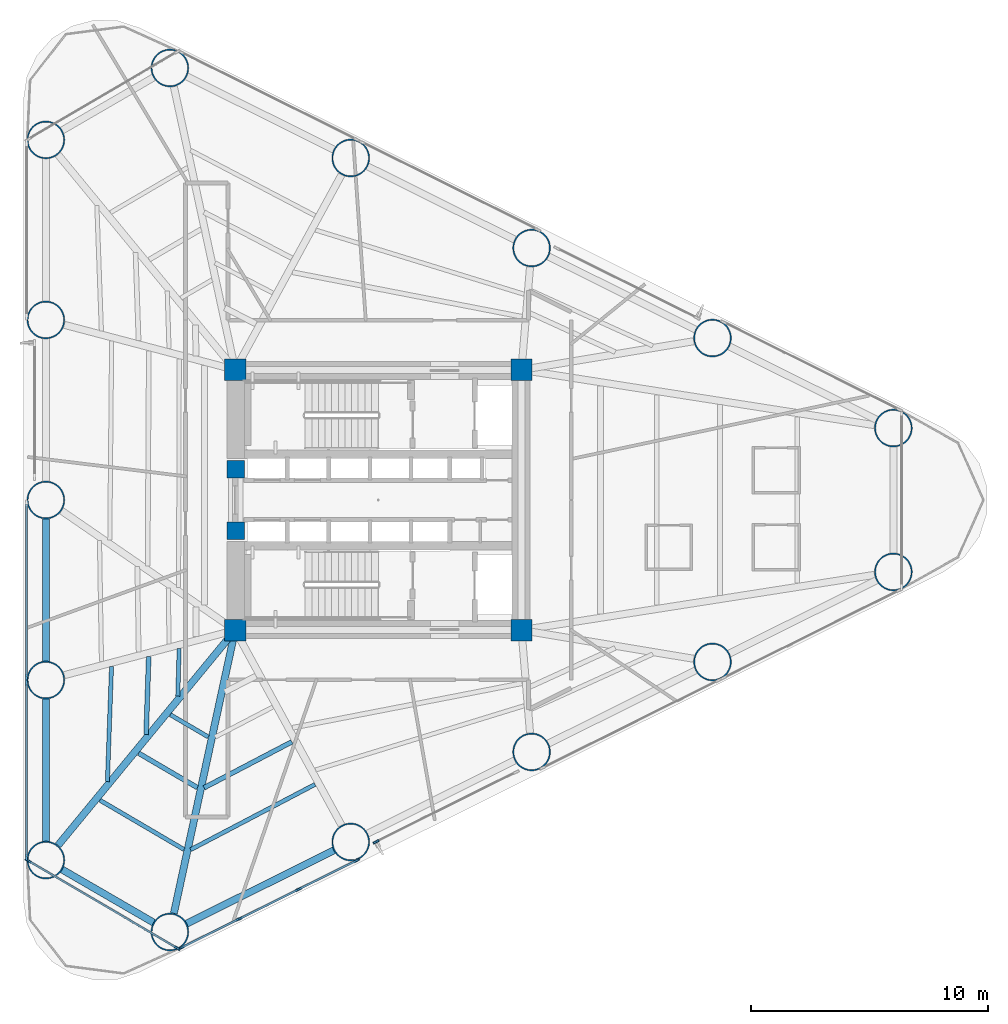
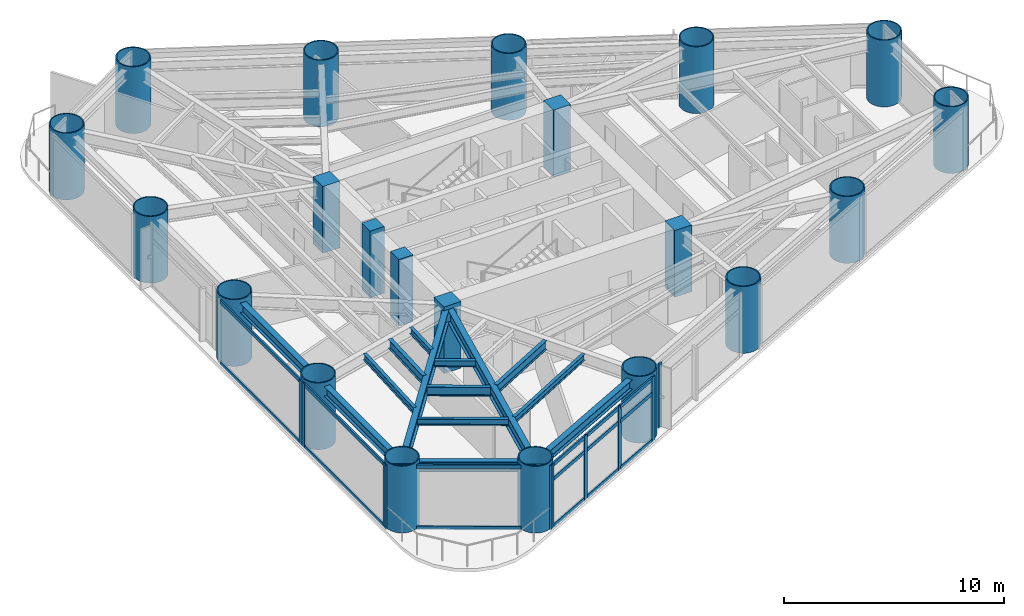
# One storey, part 1 of 10: 25 members, 21 columns, 14 beams, 5 elements without a shape of their own.
"""IFC4 building model written with IfcOpenShell, lengths in metres."""

from ifc_helpers import new_model, si_unit, direction, frame, origin, origin_2d, place, context, subcontext, project, spatial, rectangle, hollow_circle, i_section, extrude, source, transform, mapped, material, layer, layer_set, material_profile, profile_set, type_object, element, aggregate, save


model = new_model("IFC4")

# Units and contexts
model_context = context("Model", 3, precision=1e-05, world=origin(), true_north=direction((0.0, 1.0)))
body_context = subcontext(model_context, "Body", "Model", "MODEL_VIEW")
ifc_project = project(units=[si_unit("LENGTHUNIT", "METRE"), si_unit("AREAUNIT", "SQUARE_METRE"), si_unit("VOLUMEUNIT", "CUBIC_METRE"), si_unit("PLANEANGLEUNIT", "RADIAN"), si_unit("MASSUNIT", "GRAM", prefix="KILO")], contexts=[model_context])

# Site, building, storey
site_placement = place(None, origin())
site = spatial("IfcSite", under=ifc_project, at=site_placement, CompositionType="ELEMENT")
building_placement = place(site_placement, origin())
building = spatial("IfcBuilding", under=site, at=building_placement, Name="Yunling Apex Tower", CompositionType="ELEMENT")
storey_placement = place(building_placement, frame((0.0, 0.0, 46.0)))
storey = spatial("IfcBuildingStorey", under=building, at=storey_placement, Name="L13", CompositionType="ELEMENT", Elevation=46.0)

# Columns
ifc_material_1 = material(Name="Concrete C60", Category="concrete")
ifc_material_profile_1 = material_profile(ifc_material_1, rectangle(XDim=0.89990234375, YDim=0.89990234375, at=origin_2d()))
ifc_profile_set_1 = profile_set([ifc_material_profile_1], Name="Concrete C60")
column_type_1 = type_object("IfcColumnType", Name="PC-SRC-3", PredefinedType="COLUMN", material=ifc_profile_set_1)
shared_shape_1 = source(origin(), body_context, "Body", "SweptSolid", [
    extrude(rectangle(XDim=0.89990234375, YDim=0.89990234375, at=origin_2d()), origin(), (0.0, 0.0, 1.0), 3.699951171875),
])
for number, where, z_axis, x_axis, name in (
    (1, (-6.050048828125, -5.5, 0.0), (0.0, 0.0, 1.0), (1.0, 0.0, 0.0), "L13 Core Spine Column CC-SW"),
    (2, (6.050048828125, -5.5, 0.0), (0.0, 0.0, 1.0), (1.0, 0.0, 0.0), "L13 Core Spine Column CC-SE"),
    (3, (6.050048828125, 5.5, 0.0), (0.0, 0.0, 1.0), (1.0, 0.0, 0.0), "L13 Core Spine Column CC-NE"),
    (4, (-6.050048828125, 5.5, 0.0), (0.0, 0.0, 1.0), (1.0, 0.0, 0.0), "L13 Core Spine Column CC-NW"),
):
    element("IfcColumn", number, at=place(storey_placement, frame(where, z_axis=z_axis, x_axis=x_axis)), inside=storey, type_object=column_type_1, Name=name, PredefinedType="COLUMN", context=body_context, shape_type="MappedRepresentation", body=[
        mapped(shared_shape_1, transform((0.0, 0.0, 0.0), scale=1.0)),
    ])
ifc_material_2 = material(Name="Concrete C50", Category="concrete")
ifc_material_profile_2 = material_profile(ifc_material_2, rectangle(XDim=0.75, YDim=0.75, at=origin_2d()))
ifc_profile_set_2 = profile_set([ifc_material_profile_2], Name="Concrete C50")
column_type_2 = type_object("IfcColumnType", Name="PC-SRC-4", PredefinedType="COLUMN", material=ifc_profile_set_2)
shared_shape_2 = source(origin(), body_context, "Body", "SweptSolid", [
    extrude(rectangle(XDim=0.75, YDim=0.75, at=origin_2d()), origin(), (0.0, 0.0, 1.0), 3.699951171875),
])
for number, where, z_axis, x_axis, name in (
    (5, (-6.02490234375, -1.300048828125, 0.0), (0.0, 0.0, 1.0), (1.0, 0.0, 0.0), "L13 Core West Portal Jamb Column S"),
    (6, (-6.02490234375, 1.300048828125, 0.0), (0.0, 0.0, 1.0), (1.0, 0.0, 0.0), "L13 Core West Portal Jamb Column N"),
):
    element("IfcColumn", number, at=place(storey_placement, frame(where, z_axis=z_axis, x_axis=x_axis)), inside=storey, type_object=column_type_2, Name=name, PredefinedType="COLUMN", context=body_context, shape_type="MappedRepresentation", body=[
        mapped(shared_shape_2, transform((0.0, 0.0, 0.0), scale=1.0)),
    ])
ifc_material_3 = material(Name="Steel Q390GJC", Category="steel")
ifc_material_profile_3 = material_profile(ifc_material_3, hollow_circle(Radius=0.800048828125, WallThickness=0.054931640625, at=origin_2d()))
ifc_profile_set_3 = profile_set([ifc_material_profile_3], Name="Steel Q390GJC")
column_type_3 = type_object("IfcColumnType", Name="MC-CFST-1", PredefinedType="COLUMN", material=ifc_profile_set_3)
shared_shape_3 = source(origin(), body_context, "Body", "SweptSolid", [
    extrude(hollow_circle(Radius=0.800048828125, WallThickness=0.054931640625, at=origin_2d()), origin(), (0.0, 0.0, 1.0), 3.699951171875),
])
for number, where, z_axis, x_axis, name in (
    (7, (-8.8115234375, -18.2578125, 0.0), (0.0, 0.0, 1.0), (1.0, 0.0, 0.0), "L13 Perimeter CFST Mega-Column P01"),
    (8, (-1.1669921875, -14.453125, 0.0), (0.0, 0.0, 1.0), (1.0, 0.0, 0.0), "L13 Perimeter CFST Mega-Column P02"),
    (9, (6.477294921875, -10.648193359375, 0.0), (0.0, 0.0, 1.0), (1.0, 0.0, 0.0), "L13 Perimeter CFST Mega-Column P03"),
    (10, (14.121826171875, -6.843505859375, 0.0), (0.0, 0.0, 1.0), (1.0, 0.0, 0.0), "L13 Perimeter CFST Mega-Column P04"),
    (11, (21.76611328125, -3.038818359375, 0.0), (0.0, 0.0, 1.0), (1.0, 0.0, 0.0), "L13 Perimeter CFST Mega-Column P05"),
    (12, (21.76611328125, 3.038818359375, 0.0), (0.0, 0.0, 1.0), (1.0, 0.0, 0.0), "L13 Perimeter CFST Mega-Column P06"),
    (13, (14.121826171875, 6.843505859375, 0.0), (0.0, 0.0, 1.0), (1.0, 0.0, 0.0), "L13 Perimeter CFST Mega-Column P07"),
    (14, (6.477294921875, 10.648193359375, 0.0), (0.0, 0.0, 1.0), (1.0, 0.0, 0.0), "L13 Perimeter CFST Mega-Column P08"),
    (15, (-1.1669921875, 14.453125, 0.0), (0.0, 0.0, 1.0), (1.0, 0.0, 0.0), "L13 Perimeter CFST Mega-Column P09"),
    (16, (-8.8115234375, 18.2578125, 0.0), (0.0, 0.0, 1.0), (1.0, 0.0, 0.0), "L13 Perimeter CFST Mega-Column P10"),
    (17, (-14.052001953125, 15.218994140625, 0.0), (0.0, 0.0, 1.0), (1.0, 0.0, 0.0), "L13 Perimeter CFST Mega-Column P11"),
    (18, (-14.052001953125, 7.609619140625, 0.0), (0.0, 0.0, 1.0), (1.0, 0.0, 0.0), "L13 Perimeter CFST Mega-Column P12"),
    (19, (-14.052001953125, 0.0, 0.0), (0.0, 0.0, 1.0), (1.0, 0.0, 0.0), "L13 Perimeter CFST Mega-Column P13"),
    (20, (-14.052001953125, -7.609619140625, 0.0), (0.0, 0.0, 1.0), (1.0, 0.0, 0.0), "L13 Perimeter CFST Mega-Column P14"),
    (21, (-14.052001953125, -15.218994140625, 0.0), (0.0, 0.0, 1.0), (1.0, 0.0, 0.0), "L13 Perimeter CFST Mega-Column P15"),
):
    element("IfcColumn", number, at=place(storey_placement, frame(where, z_axis=z_axis, x_axis=x_axis)), inside=storey, type_object=column_type_3, Name=name, PredefinedType="COLUMN", context=body_context, shape_type="MappedRepresentation", body=[
        mapped(shared_shape_3, transform((0.0, 0.0, 0.0), scale=1.0)),
    ])

# Beams
ifc_material_4 = material(Name="Steel Q355B", Category="steel")
ifc_material_profile_4 = material_profile(ifc_material_4, i_section(OverallWidth=0.300048828125, OverallDepth=0.5400390625, WebThickness=0.011962890625, FlangeThickness=0.02001953125, FilletRadius=0.02392578125, at=origin_2d()))
ifc_profile_set_4 = profile_set([ifc_material_profile_4], Name="Steel Q355B")
beam_type_1 = type_object("IfcBeamType", Name="BP-SPN-1", PredefinedType="SPANDREL", material=ifc_profile_set_4)
shared_shape_4 = source(origin(), body_context, "Body", "SweptSolid", [
    extrude(i_section(OverallWidth=0.300048828125, OverallDepth=0.5400390625, WebThickness=0.011962890625, FlangeThickness=0.02001953125, FilletRadius=0.02392578125, at=origin_2d()), origin(), (0.0, 0.0, 1.0), 6.950927734375),
])
beam_1_placement = place(storey_placement, frame((-8.1005859375, -17.904052734375, 3.2099609375), z_axis=(0.89524058306, 0.445583099368, 0.0), x_axis=(-0.445583099368, 0.89524058306, 0.0)))
element("IfcBeam", 22, at=beam_1_placement, inside=storey, type_object=beam_type_1, Name="L13 Perimeter Spandrel Beam 1", PredefinedType="SPANDREL", context=body_context, shape_type="MappedRepresentation", body=[
    mapped(shared_shape_4, transform((0.0, 0.0, 0.0), scale=1.0)),
])
shared_shape_5 = source(origin(), body_context, "Body", "SweptSolid", [
    extrude(i_section(OverallWidth=0.300048828125, OverallDepth=0.5400390625, WebThickness=0.011962890625, FlangeThickness=0.02001953125, FilletRadius=0.02392578125, at=origin_2d()), origin(), (0.0, 0.0, 1.0), 4.469970703125),
])
beam_2_placement = place(storey_placement, frame((-13.364990234375, -15.6171875, 3.2099609375), z_axis=(0.865055841155, -0.501675584102, 0.0), x_axis=(0.501675584102, 0.865055841155, 0.0)))
element("IfcBeam", 23, at=beam_2_placement, inside=storey, type_object=beam_type_1, Name="L13 Perimeter Spandrel Beam 15", PredefinedType="SPANDREL", context=body_context, shape_type="MappedRepresentation", body=[
    mapped(shared_shape_5, transform((0.0, 0.0, 0.0), scale=1.0)),
])
shared_shape_6 = source(origin(), body_context, "Body", "SweptSolid", [
    extrude(i_section(OverallWidth=0.300048828125, OverallDepth=0.5400390625, WebThickness=0.011962890625, FlangeThickness=0.02001953125, FilletRadius=0.02392578125, at=origin_2d()), origin(), (0.0, 0.0, 1.0), 6.021240234375),
])
beam_3_placement = place(storey_placement, frame((-14.052001953125, -8.403564453125, 3.2099609375), z_axis=(0.0, -1.0, 0.0), x_axis=(1.0, 0.0, 0.0)))
element("IfcBeam", 24, at=beam_3_placement, inside=storey, type_object=beam_type_1, Name="L13 Perimeter Spandrel Beam 14", PredefinedType="SPANDREL", context=body_context, shape_type="MappedRepresentation", body=[
    mapped(shared_shape_6, transform((0.0, 0.0, 0.0), scale=1.0)),
])
shared_shape_7 = source(origin(), body_context, "Body", "SweptSolid", [
    extrude(i_section(OverallWidth=0.300048828125, OverallDepth=0.5400390625, WebThickness=0.011962890625, FlangeThickness=0.02001953125, FilletRadius=0.02392578125, at=origin_2d()), origin(), (0.0, 0.0, 1.0), 6.021484375),
])
beam_4_placement = place(storey_placement, frame((-14.052001953125, -0.7939453125, 3.2099609375), z_axis=(0.0, -1.0, 0.0), x_axis=(1.0, 0.0, 0.0)))
element("IfcBeam", 25, at=beam_4_placement, inside=storey, type_object=beam_type_1, Name="L13 Perimeter Spandrel Beam 13", PredefinedType="SPANDREL", context=body_context, shape_type="MappedRepresentation", body=[
    mapped(shared_shape_7, transform((0.0, 0.0, 0.0), scale=1.0)),
])
ifc_material_profile_5 = material_profile(ifc_material_4, i_section(OverallWidth=0.300048828125, OverallDepth=0.699951171875, WebThickness=0.012939453125, FlangeThickness=0.02392578125, FilletRadius=0.02587890625, at=origin_2d()))
ifc_profile_set_5 = profile_set([ifc_material_profile_5], Name="Steel Q355B")
beam_type_2 = type_object("IfcBeamType", Name="BG-PRI-3", PredefinedType="USERDEFINED", material=ifc_profile_set_5)
shared_shape_8 = source(origin(), body_context, "Body", "SweptSolid", [
    extrude(i_section(OverallWidth=0.300048828125, OverallDepth=0.699951171875, WebThickness=0.012939453125, FlangeThickness=0.02392578125, FilletRadius=0.02587890625, at=origin_2d()), origin(), (0.0, 0.0, 1.0), 12.165283203125),
])
beam_5_placement = place(storey_placement, frame((-8.640625, -17.468017578125, 3.1298828125), z_axis=(0.2115638914, 0.977364169517, 0.0), x_axis=(-0.977364169517, 0.2115638914, 0.0)))
element("IfcBeam", 26, at=beam_5_placement, inside=storey, type_object=beam_type_2, Name="L13 Radial Primary Girder R01", ObjectType="GIRDER", PredefinedType="USERDEFINED", context=body_context, shape_type="MappedRepresentation", body=[
    mapped(shared_shape_8, transform((0.0, 0.0, 0.0), scale=1.0)),
])
shared_shape_9 = source(origin(), body_context, "Body", "SweptSolid", [
    extrude(i_section(OverallWidth=0.300048828125, OverallDepth=0.699951171875, WebThickness=0.012939453125, FlangeThickness=0.02392578125, FilletRadius=0.02587890625, at=origin_2d()), origin(), (0.0, 0.0, 1.0), 11.701171875),
])
beam_6_placement = place(storey_placement, frame((-13.538330078125, -14.59521484375, 3.1298828125), z_axis=(0.635615100524, 0.772006116547, 0.0), x_axis=(-0.772006116547, 0.635615100524, 0.0)))
element("IfcBeam", 27, at=beam_6_placement, inside=storey, type_object=beam_type_2, Name="L13 Radial Primary Girder R15", ObjectType="GIRDER", PredefinedType="USERDEFINED", context=body_context, shape_type="MappedRepresentation", body=[
    mapped(shared_shape_9, transform((0.0, 0.0, 0.0), scale=1.0)),
])
ifc_material_profile_6 = material_profile(ifc_material_4, i_section(OverallWidth=0.199951171875, OverallDepth=0.5, WebThickness=0.010009765625, FlangeThickness=0.01611328125, FilletRadius=0.02001953125, at=origin_2d()))
ifc_profile_set_6 = profile_set([ifc_material_profile_6], Name="Steel Q355B")
beam_type_3 = type_object("IfcBeamType", Name="BS-SEC-2", PredefinedType="BEAM", material=ifc_profile_set_6)
shared_shape_10 = source(origin(), body_context, "Body", "SweptSolid", [
    extrude(i_section(OverallWidth=0.199951171875, OverallDepth=0.5, WebThickness=0.010009765625, FlangeThickness=0.01611328125, FilletRadius=0.02001953125, at=origin_2d()), origin(), (0.0, 0.0, 1.0), 4.186279296875),
])
beam_7_placement = place(storey_placement, frame((-7.366455078125, -12.162353515625, 3.22998046875), z_axis=(0.886028927656, 0.463629959512, 0.0), x_axis=(-0.463629959512, 0.886028927656, 0.0)))
element("IfcBeam", 28, at=beam_7_placement, inside=storey, type_object=beam_type_3, Name="L13 Composite Floor Beam BS-1", PredefinedType="BEAM", context=body_context, shape_type="MappedRepresentation", body=[
    mapped(shared_shape_10, transform((0.0, 0.0, 0.0), scale=1.0)),
])
ifc_material_profile_7 = material_profile(ifc_material_4, i_section(OverallWidth=0.175048828125, OverallDepth=0.35009765625, WebThickness=0.007080078125, FlangeThickness=0.010986328125, FilletRadius=0.013916015625, at=origin_2d()))
ifc_profile_set_7 = profile_set([ifc_material_profile_7], Name="Steel Q355B")
beam_type_4 = type_object("IfcBeamType", Name="BJ-JST-1", PredefinedType="JOIST", material=ifc_profile_set_7)
shared_shape_11 = source(origin(), body_context, "Body", "SweptSolid", [
    extrude(i_section(OverallWidth=0.175048828125, OverallDepth=0.35009765625, WebThickness=0.007080078125, FlangeThickness=0.010986328125, FilletRadius=0.013916015625, at=origin_2d()), origin(), (0.0, 0.0, 1.0), 5.935791015625),
])
beam_8_placement = place(storey_placement, frame((-7.9326171875, -14.778076171875, 3.304931640625), z_axis=(0.885494794786, 0.464649296144, 0.0), x_axis=(-0.464649296144, 0.885494794786, 0.0)))
element("IfcBeam", 29, at=beam_8_placement, inside=storey, type_object=beam_type_4, Name="L13 Composite Floor Joist BJ1-1", PredefinedType="JOIST", context=body_context, shape_type="MappedRepresentation", body=[
    mapped(shared_shape_11, transform((0.0, 0.0, 0.0), scale=1.0)),
])
shared_shape_12 = source(origin(), body_context, "Body", "SweptSolid", [
    extrude(i_section(OverallWidth=0.199951171875, OverallDepth=0.5, WebThickness=0.010009765625, FlangeThickness=0.01611328125, FilletRadius=0.02001953125, at=origin_2d()), origin(), (0.0, 0.0, 1.0), 3.29833984375),
])
beam_9_placement = place(storey_placement, frame((-9.704345703125, -6.621826171875, 3.22998046875), z_axis=(-0.033307436794, -0.9994451534, 0.0), x_axis=(0.9994451534, -0.033307436794, 0.0)))
element("IfcBeam", 30, at=beam_9_placement, inside=storey, type_object=beam_type_3, Name="L13 Composite Floor Beam BS-14", PredefinedType="BEAM", context=body_context, shape_type="MappedRepresentation", body=[
    mapped(shared_shape_12, transform((0.0, 0.0, 0.0), scale=1.0)),
])
shared_shape_13 = source(origin(), body_context, "Body", "SweptSolid", [
    extrude(i_section(OverallWidth=0.175048828125, OverallDepth=0.35009765625, WebThickness=0.007080078125, FlangeThickness=0.010986328125, FilletRadius=0.013916015625, at=origin_2d()), origin(), (0.0, 0.0, 1.0), 4.873046875),
])
beam_10_placement = place(storey_placement, frame((-11.2763671875, -7.0361328125, 3.304931640625), z_axis=(-0.035671873065, -0.999363556206, 0.0), x_axis=(0.999363556206, -0.035671873065, 0.0)))
element("IfcBeam", 31, at=beam_10_placement, inside=storey, type_object=beam_type_4, Name="L13 Composite Floor Joist BJ1-14", PredefinedType="JOIST", context=body_context, shape_type="MappedRepresentation", body=[
    mapped(shared_shape_13, transform((0.0, 0.0, 0.0), scale=1.0)),
])
shared_shape_14 = source(origin(), body_context, "Body", "SweptSolid", [
    extrude(i_section(OverallWidth=0.175048828125, OverallDepth=0.35009765625, WebThickness=0.007080078125, FlangeThickness=0.010986328125, FilletRadius=0.013916015625, at=origin_2d()), origin(), (0.0, 0.0, 1.0), 2.01025390625),
])
beam_11_placement = place(storey_placement, frame((-8.41796875, -6.282958984375, 3.304931640625), z_axis=(-0.029024336113, -0.999578705212, 0.0), x_axis=(0.999578705212, -0.029024336113, 0.0)))
element("IfcBeam", 32, at=beam_11_placement, inside=storey, type_object=beam_type_4, Name="L13 Composite Floor Joist BJ3-14", PredefinedType="JOIST", context=body_context, shape_type="MappedRepresentation", body=[
    mapped(shared_shape_14, transform((0.0, 0.0, 0.0), scale=1.0)),
])
shared_shape_15 = source(origin(), body_context, "Body", "SweptSolid", [
    extrude(i_section(OverallWidth=0.199951171875, OverallDepth=0.5, WebThickness=0.010009765625, FlangeThickness=0.01611328125, FilletRadius=0.02001953125, at=origin_2d()), origin(), (0.0, 0.0, 1.0), 2.876220703125),
])
beam_12_placement = place(storey_placement, frame((-10.127685546875, -10.701416015625, 3.22998046875), z_axis=(0.862779689624, -0.505580069992, 0.0), x_axis=(0.505580069992, 0.862779689624, 0.0)))
element("IfcBeam", 33, at=beam_12_placement, inside=storey, type_object=beam_type_3, Name="L13 Composite Floor Beam BS-15", PredefinedType="BEAM", context=body_context, shape_type="MappedRepresentation", body=[
    mapped(shared_shape_15, transform((0.0, 0.0, 0.0), scale=1.0)),
])
shared_shape_16 = source(origin(), body_context, "Body", "SweptSolid", [
    extrude(i_section(OverallWidth=0.175048828125, OverallDepth=0.35009765625, WebThickness=0.007080078125, FlangeThickness=0.010986328125, FilletRadius=0.013916015625, at=origin_2d()), origin(), (0.0, 0.0, 1.0), 4.117431640625),
])
beam_13_placement = place(storey_placement, frame((-11.76416015625, -12.688720703125, 3.304931640625), z_axis=(0.86262392079, -0.505845797928, 0.0), x_axis=(0.505845797928, 0.86262392079, 0.0)))
element("IfcBeam", 34, at=beam_13_placement, inside=storey, type_object=beam_type_4, Name="L13 Composite Floor Joist BJ1-15", PredefinedType="JOIST", context=body_context, shape_type="MappedRepresentation", body=[
    mapped(shared_shape_16, transform((0.0, 0.0, 0.0), scale=1.0)),
])
shared_shape_17 = source(origin(), body_context, "Body", "SweptSolid", [
    extrude(i_section(OverallWidth=0.175048828125, OverallDepth=0.35009765625, WebThickness=0.007080078125, FlangeThickness=0.010986328125, FilletRadius=0.013916015625, at=origin_2d()), origin(), (0.0, 0.0, 1.0), 1.86083984375),
])
beam_14_placement = place(storey_placement, frame((-8.7890625, -9.0751953125, 3.304931640625), z_axis=(0.862987962162, -0.505224481953, 0.0), x_axis=(0.505224481953, 0.862987962162, 0.0)))
element("IfcBeam", 35, at=beam_14_placement, inside=storey, type_object=beam_type_4, Name="L13 Composite Floor Joist BJ3-15", PredefinedType="JOIST", context=body_context, shape_type="MappedRepresentation", body=[
    mapped(shared_shape_17, transform((0.0, 0.0, 0.0), scale=1.0)),
])

# Curtain wall, members
ifc_material_5 = material(Name="Bronze anodised aluminium", Category="aluminium")
ifc_layer = layer(ifc_material_5, 0.260009765625)
ifc_layer_set = layer_set([ifc_layer], Name="Bronze anodised aluminium")
curtain_wall_type = type_object("IfcCurtainWallType", Name="CW-SYS-2", PredefinedType="NOTDEFINED", material=ifc_layer_set)
curtain_wall_1_placement = place(storey_placement, origin())
curtain_wall_1 = element("IfcCurtainWall", 36, at=curtain_wall_1_placement, inside=storey, type_object=curtain_wall_type, Name="CW-L13-F1-B1", PredefinedType="NOTDEFINED")
ifc_material_profile_8 = material_profile(ifc_material_5, rectangle(XDim=0.0849609375, YDim=0.199951171875, at=origin_2d()))
ifc_profile_set_8 = profile_set([ifc_material_profile_8], Name="Bronze anodised aluminium")
member_type_1 = type_object("IfcMemberType", Name="CW-TRN-2", PredefinedType="USERDEFINED", material=ifc_profile_set_8)
shared_shape_18 = source(origin(), body_context, "Body", "SweptSolid", [
    extrude(rectangle(XDim=0.0849609375, YDim=0.199951171875, at=origin_2d()), origin(), (0.0, 0.0, 1.0), 2.673828125),
])
member_1_placement = place(storey_placement, frame((-8.306640625, -18.911376953125, 0.04248046875), z_axis=(0.895247427801, 0.445569347034, 0.0), x_axis=(-0.445569347034, 0.895247427801, 0.0)))
member_1 = element("IfcMember", 37, at=member_1_placement, type_object=member_type_1, Name="CW-SYS-2 transom 1.1", ObjectType="TRANSOM", PredefinedType="USERDEFINED", context=body_context, shape_type="MappedRepresentation", body=[
    mapped(shared_shape_18, transform((0.0, 0.0, 0.0), scale=1.0)),
])
member_2_placement = place(storey_placement, frame((-8.306640625, -18.911376953125, 2.644775390625), z_axis=(0.895247427801, 0.445569347034, 0.0), x_axis=(-0.445569347034, 0.895247427801, 0.0)))
member_2 = element("IfcMember", 38, at=member_2_placement, type_object=member_type_1, Name="CW-SYS-2 transom 1.2", ObjectType="TRANSOM", PredefinedType="USERDEFINED", context=body_context, shape_type="MappedRepresentation", body=[
    mapped(shared_shape_18, transform((0.0, 0.0, 0.0), scale=1.0)),
])
member_3_placement = place(storey_placement, frame((-8.306640625, -18.911376953125, 3.4375), z_axis=(0.895247427801, 0.445569347034, 0.0), x_axis=(-0.445569347034, 0.895247427801, 0.0)))
member_3 = element("IfcMember", 39, at=member_3_placement, type_object=member_type_1, Name="CW-SYS-2 transom 1.3", ObjectType="TRANSOM", PredefinedType="USERDEFINED", context=body_context, shape_type="MappedRepresentation", body=[
    mapped(shared_shape_18, transform((0.0, 0.0, 0.0), scale=1.0)),
])
member_4_placement = place(storey_placement, frame((-3.343994140625, -16.44140625, 0.04248046875), z_axis=(0.895247427801, 0.445569347034, 0.0), x_axis=(-0.445569347034, 0.895247427801, 0.0)))
member_4 = element("IfcMember", 40, at=member_4_placement, type_object=member_type_1, Name="CW-SYS-2 transom 3.1", ObjectType="TRANSOM", PredefinedType="USERDEFINED", context=body_context, shape_type="MappedRepresentation", body=[
    mapped(shared_shape_18, transform((0.0, 0.0, 0.0), scale=1.0)),
])
member_5_placement = place(storey_placement, frame((-3.343994140625, -16.44140625, 2.644775390625), z_axis=(0.895247427801, 0.445569347034, 0.0), x_axis=(-0.445569347034, 0.895247427801, 0.0)))
member_5 = element("IfcMember", 41, at=member_5_placement, type_object=member_type_1, Name="CW-SYS-2 transom 3.2", ObjectType="TRANSOM", PredefinedType="USERDEFINED", context=body_context, shape_type="MappedRepresentation", body=[
    mapped(shared_shape_18, transform((0.0, 0.0, 0.0), scale=1.0)),
])
member_6_placement = place(storey_placement, frame((-3.343994140625, -16.44140625, 3.4375), z_axis=(0.895247427801, 0.445569347034, 0.0), x_axis=(-0.445569347034, 0.895247427801, 0.0)))
member_6 = element("IfcMember", 42, at=member_6_placement, type_object=member_type_1, Name="CW-SYS-2 transom 3.3", ObjectType="TRANSOM", PredefinedType="USERDEFINED", context=body_context, shape_type="MappedRepresentation", body=[
    mapped(shared_shape_18, transform((0.0, 0.0, 0.0), scale=1.0)),
])
shared_shape_19 = source(origin(), body_context, "Body", "SweptSolid", [
    extrude(rectangle(XDim=0.0849609375, YDim=0.199951171875, at=origin_2d()), origin(), (0.0, 0.0, 1.0), 2.716552734375),
])
member_7_placement = place(storey_placement, frame((-5.84423828125, -17.685791015625, 0.04248046875), z_axis=(0.895234593731, 0.445595132589, 0.0), x_axis=(-0.445595132589, 0.895234593731, 0.0)))
member_7 = element("IfcMember", 43, at=member_7_placement, type_object=member_type_1, Name="CW-SYS-2 transom 2.1", ObjectType="TRANSOM", PredefinedType="USERDEFINED", context=body_context, shape_type="MappedRepresentation", body=[
    mapped(shared_shape_19, transform((0.0, 0.0, 0.0), scale=1.0)),
])
member_8_placement = place(storey_placement, frame((-5.84423828125, -17.685791015625, 2.644775390625), z_axis=(0.895234593731, 0.445595132589, 0.0), x_axis=(-0.445595132589, 0.895234593731, 0.0)))
member_8 = element("IfcMember", 44, at=member_8_placement, type_object=member_type_1, Name="CW-SYS-2 transom 2.2", ObjectType="TRANSOM", PredefinedType="USERDEFINED", context=body_context, shape_type="MappedRepresentation", body=[
    mapped(shared_shape_19, transform((0.0, 0.0, 0.0), scale=1.0)),
])
member_9_placement = place(storey_placement, frame((-5.84423828125, -17.685791015625, 3.4375), z_axis=(0.895234593731, 0.445595132589, 0.0), x_axis=(-0.445595132589, 0.895234593731, 0.0)))
member_9 = element("IfcMember", 45, at=member_9_placement, type_object=member_type_1, Name="CW-SYS-2 transom 2.3", ObjectType="TRANSOM", PredefinedType="USERDEFINED", context=body_context, shape_type="MappedRepresentation", body=[
    mapped(shared_shape_19, transform((0.0, 0.0, 0.0), scale=1.0)),
])

curtain_wall_2_placement = place(storey_placement, origin())
curtain_wall_2 = element("IfcCurtainWall", 46, at=curtain_wall_2_placement, inside=storey, type_object=curtain_wall_type, Name="CW-L13-CRN3", PredefinedType="NOTDEFINED")
shared_shape_20 = source(origin(), body_context, "Body", "SweptSolid", [
    extrude(rectangle(XDim=0.0849609375, YDim=0.199951171875, at=origin_2d()), origin(), (0.0, 0.0, 1.0), 7.239501953125),
])
member_10_placement = place(storey_placement, frame((-14.7724609375, -15.259765625, 0.04248046875), z_axis=(0.862419304353, -0.506194570772, 0.0), x_axis=(0.506194570772, 0.862419304353, 0.0)))
member_10 = element("IfcMember", 47, at=member_10_placement, type_object=member_type_1, Name="CW-SYS-2 transom 1.1", ObjectType="TRANSOM", PredefinedType="USERDEFINED", context=body_context, shape_type="MappedRepresentation", body=[
    mapped(shared_shape_20, transform((0.0, 0.0, 0.0), scale=1.0)),
])
member_11_placement = place(storey_placement, frame((-14.7724609375, -15.259765625, 3.4375), z_axis=(0.862419304353, -0.506194570772, 0.0), x_axis=(0.506194570772, 0.862419304353, 0.0)))
member_11 = element("IfcMember", 48, at=member_11_placement, type_object=member_type_1, Name="CW-SYS-2 transom 1.2", ObjectType="TRANSOM", PredefinedType="USERDEFINED", context=body_context, shape_type="MappedRepresentation", body=[
    mapped(shared_shape_20, transform((0.0, 0.0, 0.0), scale=1.0)),
])

curtain_wall_3_placement = place(storey_placement, origin())
curtain_wall_3 = element("IfcCurtainWall", 49, at=curtain_wall_3_placement, inside=storey, type_object=curtain_wall_type, Name="CW-L13-F3-B4", PredefinedType="NOTDEFINED")
shared_shape_21 = source(origin(), body_context, "Body", "SweptSolid", [
    extrude(rectangle(XDim=0.0849609375, YDim=0.199951171875, at=origin_2d()), origin(), (0.0, 0.0, 1.0), 7.287841796875),
])
member_12_placement = place(storey_placement, frame((-14.862060546875, -7.770263671875, 0.04248046875), z_axis=(0.0, -1.0, 0.0), x_axis=(1.0, 0.0, 0.0)))
member_12 = element("IfcMember", 50, at=member_12_placement, type_object=member_type_1, Name="CW-SYS-2 transom 1.1", ObjectType="TRANSOM", PredefinedType="USERDEFINED", context=body_context, shape_type="MappedRepresentation", body=[
    mapped(shared_shape_21, transform((0.0, 0.0, 0.0), scale=1.0)),
])
member_13_placement = place(storey_placement, frame((-14.862060546875, -7.770263671875, 3.4375), z_axis=(0.0, -1.0, 0.0), x_axis=(1.0, 0.0, 0.0)))
member_13 = element("IfcMember", 51, at=member_13_placement, type_object=member_type_1, Name="CW-SYS-2 transom 1.2", ObjectType="TRANSOM", PredefinedType="USERDEFINED", context=body_context, shape_type="MappedRepresentation", body=[
    mapped(shared_shape_21, transform((0.0, 0.0, 0.0), scale=1.0)),
])

curtain_wall_4_placement = place(storey_placement, origin())
curtain_wall_4 = element("IfcCurtainWall", 52, at=curtain_wall_4_placement, inside=storey, type_object=curtain_wall_type, Name="CW-L13-F3-B3", PredefinedType="NOTDEFINED")
shared_shape_22 = source(origin(), body_context, "Body", "SweptSolid", [
    extrude(rectangle(XDim=0.0849609375, YDim=0.199951171875, at=origin_2d()), origin(), (0.0, 0.0, 1.0), 7.2880859375),
])
member_14_placement = place(storey_placement, frame((-14.862060546875, -0.16064453125, 0.04248046875), z_axis=(0.0, -1.0, 0.0), x_axis=(1.0, 0.0, 0.0)))
member_14 = element("IfcMember", 53, at=member_14_placement, type_object=member_type_1, Name="CW-SYS-2 transom 1.1", ObjectType="TRANSOM", PredefinedType="USERDEFINED", context=body_context, shape_type="MappedRepresentation", body=[
    mapped(shared_shape_22, transform((0.0, 0.0, 0.0), scale=1.0)),
])
member_15_placement = place(storey_placement, frame((-14.862060546875, -0.16064453125, 3.4375), z_axis=(0.0, -1.0, 0.0), x_axis=(1.0, 0.0, 0.0)))
member_15 = element("IfcMember", 54, at=member_15_placement, type_object=member_type_1, Name="CW-SYS-2 transom 1.2", ObjectType="TRANSOM", PredefinedType="USERDEFINED", context=body_context, shape_type="MappedRepresentation", body=[
    mapped(shared_shape_22, transform((0.0, 0.0, 0.0), scale=1.0)),
])

# Member
ifc_material_profile_9 = material_profile(ifc_material_5, rectangle(XDim=0.0849609375, YDim=0.260009765625, at=origin_2d()))
ifc_profile_set_9 = profile_set([ifc_material_profile_9], Name="Bronze anodised aluminium")
member_type_2 = type_object("IfcMemberType", Name="CW-MUL-2", PredefinedType="MULLION", material=ifc_profile_set_9)
shared_shape_23 = source(origin(), body_context, "Body", "SweptSolid", [
    extrude(rectangle(XDim=0.0849609375, YDim=0.260009765625, at=origin_2d()), origin(), (0.0, 0.0, 1.0), 3.580078125),
])
member_16_placement = place(storey_placement, frame((-8.341064453125, -18.928466796875, -0.050048828125), z_axis=(0.0, 0.0, 1.0), x_axis=(-0.445570625003, 0.895246791748, 0.0)))
member_16 = element("IfcMember", 55, at=member_16_placement, type_object=member_type_2, Name="CW-SYS-2 mullion 1", PredefinedType="MULLION", context=body_context, shape_type="MappedRepresentation", body=[
    mapped(shared_shape_23, transform((0.0, 0.0, 0.0), scale=1.0)),
])

member_17_placement = place(storey_placement, frame((-5.878662109375, -17.702880859375, -0.050048828125), z_axis=(0.0, 0.0, 1.0), x_axis=(-0.445570625003, 0.895246791748, 0.0)))
member_17 = element("IfcMember", 56, at=member_17_placement, type_object=member_type_2, Name="CW-SYS-2 mullion 2", PredefinedType="MULLION", context=body_context, shape_type="MappedRepresentation", body=[
    mapped(shared_shape_23, transform((0.0, 0.0, 0.0), scale=1.0)),
])

member_18_placement = place(storey_placement, frame((-3.378173828125, -16.458251953125, -0.050048828125), z_axis=(0.0, 0.0, 1.0), x_axis=(-0.445570625003, 0.895246791748, 0.0)))
member_18 = element("IfcMember", 57, at=member_18_placement, type_object=member_type_2, Name="CW-SYS-2 mullion 3", PredefinedType="MULLION", context=body_context, shape_type="MappedRepresentation", body=[
    mapped(shared_shape_23, transform((0.0, 0.0, 0.0), scale=1.0)),
])

member_19_placement = place(storey_placement, frame((-0.915771484375, -15.23291015625, -0.050048828125), z_axis=(0.0, 0.0, 1.0), x_axis=(-0.445570625003, 0.895246791748, 0.0)))
member_19 = element("IfcMember", 58, at=member_19_placement, type_object=member_type_2, Name="CW-SYS-2 mullion 4", PredefinedType="MULLION", context=body_context, shape_type="MappedRepresentation", body=[
    mapped(shared_shape_23, transform((0.0, 0.0, 0.0), scale=1.0)),
])

aggregate(curtain_wall_1, [member_16, member_17, member_18, member_19, member_1, member_2, member_3, member_7, member_8, member_9, member_4, member_5, member_6])

# Curtain wall, member
curtain_wall_5_placement = place(storey_placement, origin())
curtain_wall_5 = element("IfcCurtainWall", 59, at=curtain_wall_5_placement, inside=storey, type_object=curtain_wall_type, Name="CW-L13-F1-B2", PredefinedType="NOTDEFINED")
member_20_placement = place(storey_placement, frame((-0.095947265625, -14.445068359375, -0.050048828125), z_axis=(0.0, 0.0, 1.0), x_axis=(-0.445582781121, 0.895240741459, 0.0)))
member_20 = element("IfcMember", 60, at=member_20_placement, type_object=member_type_2, Name="CW-SYS-2 mullion 1", PredefinedType="MULLION", context=body_context, shape_type="MappedRepresentation", body=[
    mapped(shared_shape_23, transform((0.0, 0.0, 0.0), scale=1.0)),
])
aggregate(curtain_wall_5, [member_20])

# Member
member_21_placement = place(storey_placement, frame((-14.862060546875, -7.487060546875, -0.050048828125), z_axis=(0.0, 0.0, 1.0), x_axis=(1.0, 0.0, 0.0)))
member_21 = element("IfcMember", 61, at=member_21_placement, type_object=member_type_2, Name="CW-SYS-2 mullion 2", PredefinedType="MULLION", context=body_context, shape_type="MappedRepresentation", body=[
    mapped(shared_shape_23, transform((0.0, 0.0, 0.0), scale=1.0)),
])

aggregate(curtain_wall_4, [member_21, member_14, member_15])

member_22_placement = place(storey_placement, frame((-14.862060546875, -7.73193359375, -0.050048828125), z_axis=(0.0, 0.0, 1.0), x_axis=(1.0, 0.0, 0.0)))
member_22 = element("IfcMember", 62, at=member_22_placement, type_object=member_type_2, Name="CW-SYS-2 mullion 1", PredefinedType="MULLION", context=body_context, shape_type="MappedRepresentation", body=[
    mapped(shared_shape_23, transform((0.0, 0.0, 0.0), scale=1.0)),
])

member_23_placement = place(storey_placement, frame((-14.862060546875, -15.096435546875, -0.050048828125), z_axis=(0.0, 0.0, 1.0), x_axis=(1.0, 0.0, 0.0)))
member_23 = element("IfcMember", 63, at=member_23_placement, type_object=member_type_2, Name="CW-SYS-2 mullion 2", PredefinedType="MULLION", context=body_context, shape_type="MappedRepresentation", body=[
    mapped(shared_shape_23, transform((0.0, 0.0, 0.0), scale=1.0)),
])

aggregate(curtain_wall_3, [member_22, member_23, member_12, member_13])

member_24_placement = place(storey_placement, frame((-14.805419921875, -15.240478515625, -0.050048828125), z_axis=(0.0, 0.0, 1.0), x_axis=(0.506195543811, 0.86241873323, 0.0)))
member_24 = element("IfcMember", 64, at=member_24_placement, type_object=member_type_2, Name="CW-SYS-2 mullion 1", PredefinedType="MULLION", context=body_context, shape_type="MappedRepresentation", body=[
    mapped(shared_shape_23, transform((0.0, 0.0, 0.0), scale=1.0)),
])

member_25_placement = place(storey_placement, frame((-8.49609375, -18.943603515625, -0.050048828125), z_axis=(0.0, 0.0, 1.0), x_axis=(0.506195543811, 0.86241873323, 0.0)))
member_25 = element("IfcMember", 65, at=member_25_placement, type_object=member_type_2, Name="CW-SYS-2 mullion 2", PredefinedType="MULLION", context=body_context, shape_type="MappedRepresentation", body=[
    mapped(shared_shape_23, transform((0.0, 0.0, 0.0), scale=1.0)),
])

aggregate(curtain_wall_2, [member_24, member_25, member_10, member_11])

save(model, "model.ifc")
